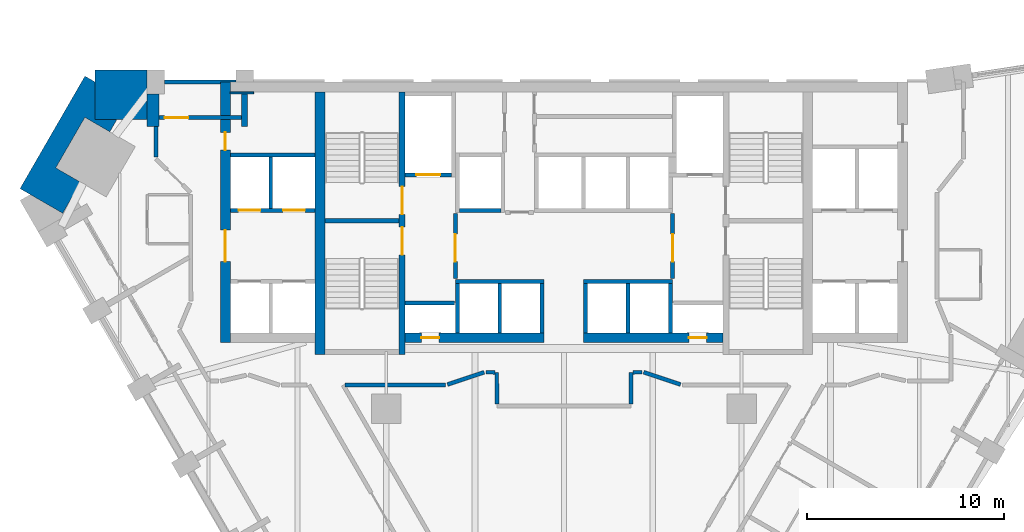
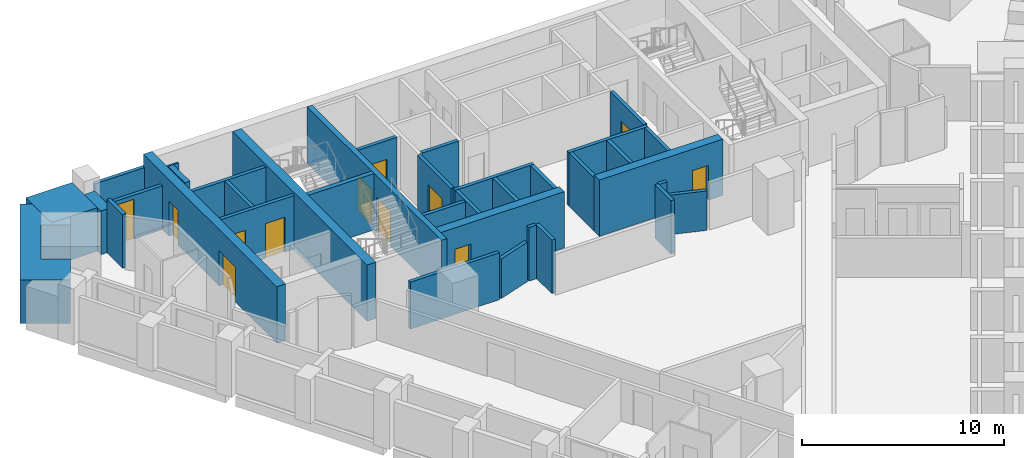
# One storey, part 6 of 10: 37 walls, 12 doors, 12 openings.
"""IFC4 building model written with IfcOpenShell, lengths in metres."""

from ifc_helpers import new_model, si_unit, direction, frame, frame_2d, origin, place, context, subcontext, project, spatial, polyline, rectangle, outline, extrude, material, layer, layer_set, type_object, element, fill, save


model = new_model("IFC4")

# Units and contexts
model_context = context("Model", 3, precision=1e-05, world=origin(), true_north=direction((0.0, 1.0)))
body_context = subcontext(model_context, "Body", "Model", "MODEL_VIEW")
ifc_project = project(units=[si_unit("LENGTHUNIT", "METRE"), si_unit("AREAUNIT", "SQUARE_METRE"), si_unit("VOLUMEUNIT", "CUBIC_METRE"), si_unit("PLANEANGLEUNIT", "RADIAN"), si_unit("MASSUNIT", "GRAM", prefix="KILO")], contexts=[model_context])

# Site, building, storey
site_placement = place(None, origin())
site = spatial("IfcSite", under=ifc_project, at=site_placement, CompositionType="ELEMENT")
building_placement = place(site_placement, origin())
building = spatial("IfcBuilding", under=site, at=building_placement, Name="Calabash Gate Tower", CompositionType="ELEMENT")
storey_placement = place(building_placement, frame((0.0, 0.0, 102.0)))
storey = spatial("IfcBuildingStorey", under=building, at=storey_placement, Name="L22", CompositionType="ELEMENT", Elevation=102.0)

# Walls
ifc_material_1 = material(Name="Terracotta brick masonry, exposed face", Category="masonry")
ifc_layer_1 = layer(ifc_material_1, 2.5)
ifc_layer_set_1 = layer_set([ifc_layer_1], Name="Brick corner mass wall 2500")
wall_type_1 = type_object("IfcWallType", Name="Brick corner mass wall 2500", PredefinedType="SOLIDWALL", material=ifc_layer_set_1)
wall_1_placement = place(storey_placement, origin())
element("IfcWall", 1, at=wall_1_placement, inside=storey, type_object=wall_type_1, Name="Brick corner pier S06 3a", PredefinedType="SOLIDWALL", context=body_context, shape_type="SweptSolid", body=[
    extrude(outline(polyline([(-23.741455078125, 17.152587890625), (-21.119140625, 17.152587890625), (-21.119140625, 19.652587890625), (-23.741455078125, 19.652587890625), (-23.741455078125, 17.152587890625)])), origin(), (0.0, 0.0, 1.0), 2.6298828125),
])
wall_2_placement = place(storey_placement, origin())
element("IfcWall", 2, at=wall_2_placement, inside=storey, type_object=wall_type_1, Name="Brick corner pier S06 3b", PredefinedType="SOLIDWALL", context=body_context, shape_type="SweptSolid", body=[
    extrude(outline(polyline([(-23.003173828125, 16.531005859375), (-22.64453125, 17.152587890625), (-23.741455078125, 17.152587890625), (-23.741455078125, 19.052490234375), (-24.260986328125, 19.3525390625), (-27.55078125, 13.654541015625), (-25.3857421875, 12.404541015625), (-24.478271484375, 13.976318359375), (-25.73876953125, 14.7041015625), (-24.263916015625, 17.2587890625), (-23.003173828125, 16.531005859375)])), origin(), (0.0, 0.0, 1.0), 2.6298828125),
])
ifc_material_2 = material(Name="Terracotta brick masonry, exposed face", Category="masonry")
ifc_layer_2 = layer(ifc_material_2, 1.199951171875)
ifc_layer_set_2 = layer_set([ifc_layer_2], Name="Brick end wall 1200")
wall_type_2 = type_object("IfcWallType", Name="Brick end wall 1200", PredefinedType="SOLIDWALL", material=ifc_layer_set_2)
wall_3_placement = place(storey_placement, origin())
element("IfcWall", 3, at=wall_3_placement, inside=storey, type_object=wall_type_2, Name="Brick pier S06 N6.7b", PredefinedType="SOLIDWALL", context=body_context, shape_type="SweptSolid", body=[
    extrude(outline(polyline([(-16.902099609375, 18.45263671875), (-16.902099609375, 18.552490234375), (-15.718994140625, 18.552490234375), (-15.718994140625, 18.45263671875), (-16.902099609375, 18.45263671875)])), origin(), (0.0, 0.0, 1.0), 2.64990234375),
])
ifc_material_3 = material(Name="Terracotta brick masonry, exposed face", Category="masonry")
ifc_layer_3 = layer(ifc_material_3, 0.300048828125)
ifc_layer_set_3 = layer_set([ifc_layer_3], Name="Brick loggia cheek wall 300")
wall_type_3 = type_object("IfcWallType", Name="Brick loggia cheek wall 300", PredefinedType="SOLIDWALL", material=ifc_layer_set_3)
wall_4_placement = place(storey_placement, origin())
element("IfcWall", 4, at=wall_4_placement, inside=storey, type_object=wall_type_3, Name="Loggia cheek S06 N6.7", PredefinedType="SOLIDWALL", context=body_context, shape_type="SweptSolid", body=[
    extrude(outline(polyline([(-16.01904296875, 16.802490234375), (-16.01904296875, 18.45263671875), (-16.319091796875, 18.45263671875), (-16.319091796875, 16.802490234375), (-16.01904296875, 16.802490234375)])), origin(), (0.0, 0.0, 1.0), 2.64990234375),
])
wall_5_placement = place(storey_placement, origin())
element("IfcWall", 5, at=wall_5_placement, inside=storey, type_object=wall_type_3, Name="Loggia cheek S06 N6.8", PredefinedType="SOLIDWALL", context=body_context, shape_type="SweptSolid", body=[
    extrude(outline(polyline([(-21.119140625, 18.45263671875), (-21.119140625, 16.802490234375), (-20.51904296875, 16.802490234375), (-20.51904296875, 18.45263671875), (-21.119140625, 18.45263671875)])), origin(), (0.0, 0.0, 1.0), 2.6298828125),
])
ifc_material_4 = material(Name="Concrete C80/95", Category="concrete")
ifc_layer_4 = layer(ifc_material_4, 0.25)
ifc_layer_set_4 = layer_set([ifc_layer_4], Name="Core wall 250 Concrete C80/95")
wall_type_4 = type_object("IfcWallType", Name="Core wall 250 Concrete C80/95", PredefinedType="SHEAR", material=ifc_layer_set_4)
wall_6_placement = place(storey_placement, frame((-12.10009765625, 12.027587890625, 0.0), z_axis=(0.0, 0.0, 1.0), x_axis=(1.0, 0.0, 0.0)))
element("IfcWall", 6, at=wall_6_placement, inside=storey, type_object=wall_type_4, Name="Core wall Z2-MIDW L22", PredefinedType="SHEAR", context=body_context, shape_type="SweptSolid", body=[
    extrude(rectangle(XDim=3.75, YDim=0.25, at=frame_2d((1.875, 0.0))), origin(), (0.0, 0.0, 1.0), 3.39990234375),
])

# Wall, openings, doors
ifc_material_5 = material(Name="Concrete C80/95", Category="concrete")
ifc_layer_5 = layer(ifc_material_5, 0.300048828125)
ifc_layer_set_5 = layer_set([ifc_layer_5], Name="Core wall 300 Concrete C80/95")
wall_type_5 = type_object("IfcWallType", Name="Core wall 300 Concrete C80/95", PredefinedType="SHEAR", material=ifc_layer_set_5)
wall_7_placement = place(storey_placement, frame((-8.199951171875, 5.252685546875, 0.0), z_axis=(0.0, 0.0, 1.0), x_axis=(0.0, 1.0, 0.0)))
wall_7 = element("IfcWall", 7, at=wall_7_placement, inside=storey, type_object=wall_type_5, Name="Core wall Z2-PARTW L22", PredefinedType="SHEAR", context=body_context, shape_type="SweptSolid", body=[
    extrude(rectangle(XDim=13.2998046875, YDim=0.300048828125, at=frame_2d((6.64990234375, 0.0))), origin(), (0.0, 0.0, 1.0), 3.39990234375),
])
opening_1_placement = place(wall_7_placement, frame((7.10009765625, 0.0, 0.0)))
opening_1 = element("IfcOpeningElement", 8, at=opening_1_placement, cuts=wall_7, Name="Opening H6-013", PredefinedType="OPENING", context=body_context, shape_type="SweptSolid", body=[
    extrude(rectangle(XDim=1.39990234375, YDim=2.10009765625, at=frame_2d((0.699951171875, 1.050048828125))), frame((0.0, 0.159912109375, 0.0), z_axis=(0.0, -1.0, 0.0), x_axis=(1.0, 0.0, 0.0)), (0.0, 0.0, 1.0), 0.320068359375),
])
opening_2_placement = place(wall_7_placement, frame((5.050048828125, 0.0, 0.0)))
opening_2 = element("IfcOpeningElement", 9, at=opening_2_placement, cuts=wall_7, Name="Opening H6-014", PredefinedType="OPENING", context=body_context, shape_type="SweptSolid", body=[
    extrude(rectangle(XDim=1.39990234375, YDim=2.10009765625, at=frame_2d((0.699951171875, 1.050048828125))), frame((0.0, 0.159912109375, 0.0), z_axis=(0.0, -1.0, 0.0), x_axis=(1.0, 0.0, 0.0)), (0.0, 0.0, 1.0), 0.320068359375),
])
ifc_material_6 = material(Name="Steel fire door set with fire-resisting glazing", Category="steel")
door_type_1 = type_object("IfcDoorType", Name="Fire door D05 1400x2100 FD90", OperationType="NOTDEFINED", PredefinedType="DOOR", material=ifc_material_6)
door_1_placement = place(opening_1_placement, origin())
door_1 = element("IfcDoor", 10, at=door_1_placement, inside=storey, type_object=door_type_1, Name="Exit stair door ST1", OperationType="SINGLE_SWING_LEFT", OverallHeight=2.10009765625, OverallWidth=1.39990234375, PredefinedType="DOOR", context=body_context, shape_type="SweptSolid", body=[
    extrude(rectangle(XDim=1.39990234375, YDim=2.10009765625, at=frame_2d((0.699951171875, 1.050048828125))), frame((0.0, 0.02490234375, 0.0), z_axis=(0.0, -1.0, 0.0), x_axis=(1.0, 0.0, 0.0)), (0.0, 0.0, 1.0), 0.050048828125),
])
fill(opening_1, door_1)
door_2_placement = place(opening_2_placement, origin())
door_2 = element("IfcDoor", 11, at=door_2_placement, inside=storey, type_object=door_type_1, Name="Exit stair door ST2", OperationType="SINGLE_SWING_LEFT", OverallHeight=2.10009765625, OverallWidth=1.39990234375, PredefinedType="DOOR", context=body_context, shape_type="SweptSolid", body=[
    extrude(rectangle(XDim=1.39990234375, YDim=2.10009765625, at=frame_2d((0.699951171875, 1.050048828125))), frame((0.0, 0.02490234375, 0.0), z_axis=(0.0, -1.0, 0.0), x_axis=(1.0, 0.0, 0.0)), (0.0, 0.0, 1.0), 0.050048828125),
])
fill(opening_2, door_2)

# Wall
ifc_material_7 = material(Name="Concrete C80/95", Category="concrete")
ifc_layer_6 = layer(ifc_material_7, 0.5)
ifc_layer_set_6 = layer_set([ifc_layer_6], Name="Core wall 500 Concrete C80/95")
wall_type_6 = type_object("IfcWallType", Name="Core wall 500 Concrete C80/95", PredefinedType="SHEAR", material=ifc_layer_set_6)
wall_8_placement = place(storey_placement, frame((-12.35009765625, 5.252685546875, 0.0), z_axis=(0.0, 0.0, 1.0), x_axis=(0.0, 1.0, 0.0)))
element("IfcWall", 12, at=wall_8_placement, inside=storey, type_object=wall_type_6, Name="Core wall Z2-COLW L22", PredefinedType="SHEAR", context=body_context, shape_type="SweptSolid", body=[
    extrude(rectangle(XDim=13.2998046875, YDim=0.5, at=frame_2d((6.64990234375, 0.0))), origin(), (0.0, 0.0, 1.0), 3.39990234375),
])

# Wall, opening, door
wall_9_placement = place(storey_placement, frame((-8.050048828125, 6.1025390625, 0.0), z_axis=(0.0, 0.0, 1.0), x_axis=(1.0, 0.0, 0.0)))
wall_9 = element("IfcWall", 13, at=wall_9_placement, inside=storey, type_object=wall_type_6, Name="Core wall Z2-SA L22", PredefinedType="SHEAR", context=body_context, shape_type="SweptSolid", body=[
    extrude(rectangle(XDim=7.050048828125, YDim=0.5, at=frame_2d((3.52490234375, 0.0))), origin(), (0.0, 0.0, 1.0), 3.39990234375),
])
opening_3_placement = place(wall_9_placement, frame((0.824951171875, 0.0, 0.0)))
opening_3 = element("IfcOpeningElement", 14, at=opening_3_placement, cuts=wall_9, Name="Opening H6-012", PredefinedType="OPENING", context=body_context, shape_type="SweptSolid", body=[
    extrude(rectangle(XDim=0.89990234375, YDim=2.10009765625, at=frame_2d((0.449951171875, 1.050048828125))), frame((0.0, 0.260009765625, 0.0), z_axis=(0.0, -1.0, 0.0), x_axis=(1.0, 0.0, 0.0)), (0.0, 0.0, 1.0), 0.52001953125),
])
ifc_material_8 = material(Name="Steel fire door set with fire-resisting glazing", Category="steel")
door_type_2 = type_object("IfcDoorType", Name="Fire door D07 900x2100 FD90", OperationType="NOTDEFINED", PredefinedType="DOOR", material=ifc_material_8)
door_3_placement = place(opening_3_placement, origin())
door_3 = element("IfcDoor", 15, at=door_3_placement, inside=storey, type_object=door_type_2, Name="Electrical Riser W door", OperationType="SINGLE_SWING_LEFT", OverallHeight=2.10009765625, OverallWidth=0.89990234375, PredefinedType="DOOR", context=body_context, shape_type="SweptSolid", body=[
    extrude(rectangle(XDim=0.89990234375, YDim=2.10009765625, at=frame_2d((0.449951171875, 1.050048828125))), frame((0.0, 0.02490234375, 0.0), z_axis=(0.0, -1.0, 0.0), x_axis=(1.0, 0.0, 0.0)), (0.0, 0.0, 1.0), 0.050048828125),
])
fill(opening_3, door_3)

wall_10_placement = place(storey_placement, frame((1.0, 6.1025390625, 0.0), z_axis=(0.0, 0.0, 1.0), x_axis=(1.0, 0.0, 0.0)))
wall_10 = element("IfcWall", 16, at=wall_10_placement, inside=storey, type_object=wall_type_6, Name="Core wall Z2-SB L22", PredefinedType="SHEAR", context=body_context, shape_type="SweptSolid", body=[
    extrude(rectangle(XDim=7.050048828125, YDim=0.5, at=frame_2d((3.52490234375, 0.0))), origin(), (0.0, 0.0, 1.0), 3.39990234375),
])
opening_4_placement = place(wall_10_placement, frame((5.324951171875, 0.0, 0.0)))
opening_4 = element("IfcOpeningElement", 17, at=opening_4_placement, cuts=wall_10, Name="Opening H6-011", PredefinedType="OPENING", context=body_context, shape_type="SweptSolid", body=[
    extrude(rectangle(XDim=0.89990234375, YDim=2.10009765625, at=frame_2d((0.449951171875, 1.050048828125))), frame((0.0, 0.260009765625, 0.0), z_axis=(0.0, -1.0, 0.0), x_axis=(1.0, 0.0, 0.0)), (0.0, 0.0, 1.0), 0.52001953125),
])
door_4_placement = place(opening_4_placement, origin())
door_4 = element("IfcDoor", 18, at=door_4_placement, inside=storey, type_object=door_type_2, Name="Mechanical Riser E door", OperationType="SINGLE_SWING_RIGHT", OverallHeight=2.10009765625, OverallWidth=0.89990234375, PredefinedType="DOOR", context=body_context, shape_type="SweptSolid", body=[
    extrude(rectangle(XDim=0.89990234375, YDim=2.10009765625, at=frame_2d((0.449951171875, 1.050048828125))), frame((0.0, 0.02490234375, 0.0), z_axis=(0.0, -1.0, 0.0), x_axis=(1.0, 0.0, 0.0)), (0.0, 0.0, 1.0), 0.050048828125),
])
fill(opening_4, door_4)

# Wall, openings, doors
wall_11_placement = place(storey_placement, frame((-17.14990234375, 5.8525390625, 0.0), z_axis=(0.0, 0.0, 1.0), x_axis=(0.0, 1.0, 0.0)))
wall_11 = element("IfcWall", 19, at=wall_11_placement, inside=storey, type_object=wall_type_6, Name="Core wall Z2-ENDW L22", PredefinedType="SHEAR", context=body_context, shape_type="SweptSolid", body=[
    extrude(rectangle(XDim=13.199951171875, YDim=0.5, at=frame_2d((6.60009765625, 0.0))), origin(), (0.0, 0.0, 1.0), 3.39990234375),
])
opening_5_placement = place(wall_11_placement, frame((4.10009765625, 0.0, 0.0)))
opening_5 = element("IfcOpeningElement", 20, at=opening_5_placement, cuts=wall_11, Name="Opening H6-003", PredefinedType="OPENING", context=body_context, shape_type="SweptSolid", body=[
    extrude(rectangle(XDim=1.60009765625, YDim=2.10009765625, at=frame_2d((0.800048828125, 1.050048828125))), frame((0.0, 0.260009765625, 0.0), z_axis=(0.0, -1.0, 0.0), x_axis=(1.0, 0.0, 0.0)), (0.0, 0.0, 1.0), 0.52001953125),
])
opening_6_placement = place(wall_11_placement, frame((9.75, 0.0, 0.0)))
opening_6 = element("IfcOpeningElement", 21, at=opening_6_placement, cuts=wall_11, Name="Opening H6-004", PredefinedType="OPENING", context=body_context, shape_type="SweptSolid", body=[
    extrude(rectangle(XDim=0.89990234375, YDim=2.10009765625, at=frame_2d((0.449951171875, 1.050048828125))), frame((0.0, 0.260009765625, 0.0), z_axis=(0.0, -1.0, 0.0), x_axis=(1.0, 0.0, 0.0)), (0.0, 0.0, 1.0), 0.52001953125),
])
ifc_material_9 = material(Name="Steel fire door set with fire-resisting glazing", Category="steel")
door_type_3 = type_object("IfcDoorType", Name="Double fire door D08 1600x2100 FD60", OperationType="DOUBLE_DOOR_SINGLE_SWING", PredefinedType="DOOR", material=ifc_material_9)
door_5_placement = place(opening_5_placement, origin())
door_5 = element("IfcDoor", 22, at=door_5_placement, inside=storey, type_object=door_type_3, Name="Low-rise Lift Lobby W door", OperationType="DOUBLE_DOOR_SINGLE_SWING", OverallHeight=2.10009765625, OverallWidth=1.60009765625, PredefinedType="DOOR", context=body_context, shape_type="SweptSolid", body=[
    extrude(rectangle(XDim=1.60009765625, YDim=2.10009765625, at=frame_2d((0.800048828125, 1.050048828125))), frame((0.0, 0.02490234375, 0.0), z_axis=(0.0, -1.0, 0.0), x_axis=(1.0, 0.0, 0.0)), (0.0, 0.0, 1.0), 0.050048828125),
])
fill(opening_5, door_5)
ifc_material_10 = material(Name="Steel fire door set with fire-resisting glazing", Category="steel")
door_type_4 = type_object("IfcDoorType", Name="Fire door D06 900x2100 FD60", OperationType="NOTDEFINED", PredefinedType="DOOR", material=ifc_material_10)
door_6_placement = place(opening_6_placement, origin())
door_6 = element("IfcDoor", 23, at=door_6_placement, inside=storey, type_object=door_type_4, Name="Cleaner's Store door", OperationType="SINGLE_SWING_RIGHT", OverallHeight=2.10009765625, OverallWidth=0.89990234375, PredefinedType="DOOR", context=body_context, shape_type="SweptSolid", body=[
    extrude(rectangle(XDim=0.89990234375, YDim=2.10009765625, at=frame_2d((0.449951171875, 1.050048828125))), frame((0.0, 0.02490234375, 0.0), z_axis=(0.0, -1.0, 0.0), x_axis=(1.0, 0.0, 0.0)), (0.0, 0.0, 1.0), 0.050048828125),
])
fill(opening_6, door_6)

# Walls
ifc_material_11 = material(Name="Gypsum board on steel studs, mineral wool", Category="steel")
ifc_layer_7 = layer(ifc_material_11, 0.199951171875)
ifc_layer_set_7 = layer_set([ifc_layer_7], Name="Partition 200 gypsum board EI 60")
wall_type_7 = type_object("IfcWallType", Name="Partition 200 gypsum board EI 60", PredefinedType="PARTITIONING", material=ifc_layer_set_7)
wall_12_placement = place(storey_placement, frame((-3.402099609375, 4.3505859375, 0.0), z_axis=(0.0, 0.0, 1.0), x_axis=(0.001222119466, -0.999999253212, 0.0)))
element("IfcWall", 24, at=wall_12_placement, inside=storey, type_object=wall_type_7, Name="Partition", PredefinedType="PARTITIONING", context=body_context, shape_type="SweptSolid", body=[
    extrude(rectangle(XDim=1.59814453125, YDim=0.199951171875, at=frame_2d((0.799072265625, 0.0))), origin(), (0.0, 0.0, 1.0), 3.22998046875),
])
wall_13_placement = place(storey_placement, frame((-11.080078125, 3.69970703125, 0.0), z_axis=(0.0, 0.0, 1.0), x_axis=(1.0, 0.0, 0.0)))
element("IfcWall", 25, at=wall_13_placement, inside=storey, type_object=wall_type_7, Name="Partition", PredefinedType="PARTITIONING", context=body_context, shape_type="SweptSolid", body=[
    extrude(rectangle(XDim=5.080078125, YDim=0.199951171875, at=frame_2d((2.5400390625, 0.0))), origin(), (0.0, 0.0, 1.0), 2.83154296875),
])
for number, where, z_axis, x_axis, name in (
    (26, (4.042236328125, 4.352294921875, 0.0), (0.0, 0.0, 1.0), (0.948695731075, -0.316190464499, 0.0), "Partition"),
    (27, (-5.905029296875, 3.7314453125, 0.0), (0.0, 0.0, 1.0), (0.948695731075, 0.316190464499, 0.0), "Partition"),
):
    element("IfcWall", number, at=place(storey_placement, frame(where, z_axis=z_axis, x_axis=x_axis)), inside=storey, type_object=wall_type_7, Name=name, PredefinedType="PARTITIONING", context=body_context, shape_type="SweptSolid", body=[
        extrude(rectangle(XDim=1.963623046875, YDim=0.199951171875, at=frame_2d((0.98193359375, 0.0))), origin(), (0.0, 0.0, 1.0), 2.384033203125),
    ])
wall_14_placement = place(storey_placement, frame((-3.9423828125, 4.35205078125, 0.0), z_axis=(0.0, 0.0, 1.0), x_axis=(0.999996159087, -0.00277160798, 0.0)))
element("IfcWall", 28, at=wall_14_placement, inside=storey, type_object=wall_type_7, Name="Partition", PredefinedType="PARTITIONING", context=body_context, shape_type="SweptSolid", body=[
    extrude(rectangle(XDim=0.4404296875, YDim=0.199951171875, at=frame_2d((0.22021484375, 0.0))), origin(), (0.0, 0.0, 1.0), 3.22998046875),
])
wall_15_placement = place(storey_placement, frame((3.400146484375, 2.75244140625, 0.0), z_axis=(0.0, 0.0, 1.0), x_axis=(0.001222119466, 0.999999253212, 0.0)))
element("IfcWall", 29, at=wall_15_placement, inside=storey, type_object=wall_type_7, Name="Partition", PredefinedType="PARTITIONING", context=body_context, shape_type="SweptSolid", body=[
    extrude(rectangle(XDim=1.59814453125, YDim=0.199951171875, at=frame_2d((0.799072265625, 0.0))), origin(), (0.0, 0.0, 1.0), 3.22998046875),
])
wall_16_placement = place(storey_placement, frame((3.501953125, 4.350830078125, 0.0), z_axis=(0.0, 0.0, 1.0), x_axis=(0.999996159087, 0.00277160798, 0.0)))
element("IfcWall", 30, at=wall_16_placement, inside=storey, type_object=wall_type_7, Name="Partition", PredefinedType="PARTITIONING", context=body_context, shape_type="SweptSolid", body=[
    extrude(rectangle(XDim=0.4404296875, YDim=0.199951171875, at=frame_2d((0.22021484375, 0.0))), origin(), (0.0, 0.0, 1.0), 3.22998046875),
])
wall_17_placement = place(storey_placement, frame((-20.66943359375, 16.802490234375, 0.0), z_axis=(0.0, 0.0, 1.0), x_axis=(0.0, -1.0, 0.0)))
element("IfcWall", 31, at=wall_17_placement, inside=storey, type_object=wall_type_7, Name="Partition", PredefinedType="PARTITIONING", context=body_context, shape_type="SweptSolid", body=[
    extrude(rectangle(XDim=1.55029296875, YDim=0.199951171875, at=frame_2d((0.775146484375, 0.0))), origin(), (0.0, 0.0, 1.0), 3.22998046875),
])
ifc_material_12 = material(Name="Concrete C40/50", Category="concrete")
ifc_layer_8 = layer(ifc_material_12, 0.199951171875)
ifc_layer_set_8 = layer_set([ifc_layer_8], Name="Shaft wall 200 Concrete C40/50")
wall_type_8 = type_object("IfcWallType", Name="Shaft wall 200 Concrete C40/50", PredefinedType="SOLIDWALL", material=ifc_layer_set_8)
for number, where, z_axis, x_axis, name in (
    (32, (-5.39990234375, 6.3525390625, 0.0), (0.0, 0.0, 1.0), (0.0, 1.0, 0.0), "Shaft wall"),
    (33, (-3.25, 6.3525390625, 0.0), (0.0, 0.0, 1.0), (0.0, 1.0, 0.0), "Shaft wall"),
    (34, (-1.10009765625, 6.3525390625, 0.0), (0.0, 0.0, 1.0), (0.0, 1.0, 0.0), "Shaft wall"),
    (35, (1.10009765625, 6.3525390625, 0.0), (0.0, 0.0, 1.0), (0.0, 1.0, 0.0), "Shaft wall"),
    (36, (3.25, 6.3525390625, 0.0), (0.0, 0.0, 1.0), (0.0, 1.0, 0.0), "Shaft wall"),
    (37, (5.39990234375, 6.3525390625, 0.0), (0.0, 0.0, 1.0), (0.0, 1.0, 0.0), "Shaft wall"),
    (38, (-8.050048828125, 7.8525390625, 0.0), (0.0, 0.0, 1.0), (1.0, 0.0, 0.0), "Shaft wall"),
):
    element("IfcWall", number, at=place(storey_placement, frame(where, z_axis=z_axis, x_axis=x_axis)), inside=storey, type_object=wall_type_8, Name=name, PredefinedType="SOLIDWALL", context=body_context, shape_type="SweptSolid", body=[
        extrude(rectangle(XDim=2.5, YDim=0.199951171875, at=frame_2d((1.25, 0.0))), origin(), (0.0, 0.0, 1.0), 3.22998046875),
    ])
for number, where, z_axis, x_axis, name in (
    (39, (-5.5, 8.95263671875, 0.0), (0.0, 0.0, 1.0), (1.0, 0.0, 0.0), "Shaft wall"),
    (40, (1.0, 8.95263671875, 0.0), (0.0, 0.0, 1.0), (1.0, 0.0, 0.0), "Shaft wall"),
):
    element("IfcWall", number, at=place(storey_placement, frame(where, z_axis=z_axis, x_axis=x_axis)), inside=storey, type_object=wall_type_8, Name=name, PredefinedType="SOLIDWALL", context=body_context, shape_type="SweptSolid", body=[
        extrude(rectangle(XDim=4.5, YDim=0.199951171875, at=frame_2d((2.25, 0.0))), origin(), (0.0, 0.0, 1.0), 3.22998046875),
    ])

# Wall, opening, door
wall_18_placement = place(storey_placement, frame((-5.5, 9.1025390625, 0.0), z_axis=(0.0, 0.0, 1.0), x_axis=(0.0, 1.0, 0.0)))
wall_18 = element("IfcWall", 41, at=wall_18_placement, inside=storey, type_object=wall_type_8, Name="Shaft wall", PredefinedType="SOLIDWALL", context=body_context, shape_type="SweptSolid", body=[
    extrude(rectangle(XDim=3.300048828125, YDim=0.199951171875, at=frame_2d((1.64990234375, 0.0))), origin(), (0.0, 0.0, 1.0), 3.22998046875),
])
opening_7_placement = place(wall_18_placement, frame((0.85009765625, 0.0, 0.0)))
opening_7 = element("IfcOpeningElement", 42, at=opening_7_placement, cuts=wall_18, Name="Opening H6-007", PredefinedType="OPENING", context=body_context, shape_type="SweptSolid", body=[
    extrude(rectangle(XDim=1.39990234375, YDim=2.10009765625, at=frame_2d((0.699951171875, 1.050048828125))), frame((0.0, 0.10986328125, 0.0), z_axis=(0.0, -1.0, 0.0), x_axis=(1.0, 0.0, 0.0)), (0.0, 0.0, 1.0), 0.219970703125),
])
door_7_placement = place(opening_7_placement, origin())
door_7 = element("IfcDoor", 43, at=door_7_placement, inside=storey, type_object=door_type_1, Name="Firefighting Lobby W door", OperationType="SINGLE_SWING_RIGHT", OverallHeight=2.10009765625, OverallWidth=1.39990234375, PredefinedType="DOOR", context=body_context, shape_type="SweptSolid", body=[
    extrude(rectangle(XDim=1.39990234375, YDim=2.10009765625, at=frame_2d((0.699951171875, 1.050048828125))), frame((0.0, 0.02490234375, 0.0), z_axis=(0.0, -1.0, 0.0), x_axis=(1.0, 0.0, 0.0)), (0.0, 0.0, 1.0), 0.050048828125),
])
fill(opening_7, door_7)

wall_19_placement = place(storey_placement, frame((5.5, 9.1025390625, 0.0), z_axis=(0.0, 0.0, 1.0), x_axis=(0.0, 1.0, 0.0)))
wall_19 = element("IfcWall", 44, at=wall_19_placement, inside=storey, type_object=wall_type_8, Name="Shaft wall", PredefinedType="SOLIDWALL", context=body_context, shape_type="SweptSolid", body=[
    extrude(rectangle(XDim=3.300048828125, YDim=0.199951171875, at=frame_2d((1.64990234375, 0.0))), origin(), (0.0, 0.0, 1.0), 3.22998046875),
])
opening_8_placement = place(wall_19_placement, frame((0.85009765625, 0.0, 0.0)))
opening_8 = element("IfcOpeningElement", 45, at=opening_8_placement, cuts=wall_19, Name="Opening H6-006", PredefinedType="OPENING", context=body_context, shape_type="SweptSolid", body=[
    extrude(rectangle(XDim=1.39990234375, YDim=2.10009765625, at=frame_2d((0.699951171875, 1.050048828125))), frame((0.0, 0.10986328125, 0.0), z_axis=(0.0, -1.0, 0.0), x_axis=(1.0, 0.0, 0.0)), (0.0, 0.0, 1.0), 0.219970703125),
])
door_8_placement = place(opening_8_placement, origin())
door_8 = element("IfcDoor", 46, at=door_8_placement, inside=storey, type_object=door_type_1, Name="Firefighting Lobby E door", OperationType="SINGLE_SWING_LEFT", OverallHeight=2.10009765625, OverallWidth=1.39990234375, PredefinedType="DOOR", context=body_context, shape_type="SweptSolid", body=[
    extrude(rectangle(XDim=1.39990234375, YDim=2.10009765625, at=frame_2d((0.699951171875, 1.050048828125))), frame((0.0, 0.02490234375, 0.0), z_axis=(0.0, -1.0, 0.0), x_axis=(1.0, 0.0, 0.0)), (0.0, 0.0, 1.0), 0.050048828125),
])
fill(opening_8, door_8)

# Wall, openings, doors
wall_20_placement = place(storey_placement, frame((-16.89990234375, 12.552490234375, 0.0), z_axis=(0.0, 0.0, 1.0), x_axis=(1.0, 0.0, 0.0)))
wall_20 = element("IfcWall", 47, at=wall_20_placement, inside=storey, type_object=wall_type_8, Name="Shaft wall", PredefinedType="SOLIDWALL", context=body_context, shape_type="SweptSolid", body=[
    extrude(rectangle(XDim=4.2998046875, YDim=0.199951171875, at=frame_2d((2.14990234375, 0.0))), origin(), (0.0, 0.0, 1.0), 3.22998046875),
])
opening_9_placement = place(wall_20_placement, frame((2.675048828125, 0.0, 0.0)))
opening_9 = element("IfcOpeningElement", 48, at=opening_9_placement, cuts=wall_20, Name="Opening LD-LR3", PredefinedType="OPENING", context=body_context, shape_type="SweptSolid", body=[
    extrude(rectangle(XDim=1.10009765625, YDim=2.10009765625, at=frame_2d((0.550048828125, 1.050048828125))), frame((0.0, 0.10986328125, 0.0), z_axis=(0.0, -1.0, 0.0), x_axis=(1.0, 0.0, 0.0)), (0.0, 0.0, 1.0), 0.219970703125),
])
opening_10_placement = place(wall_20_placement, frame((0.425048828125, 0.0, 0.0)))
opening_10 = element("IfcOpeningElement", 49, at=opening_10_placement, cuts=wall_20, Name="Opening LD-LR4", PredefinedType="OPENING", context=body_context, shape_type="SweptSolid", body=[
    extrude(rectangle(XDim=1.10009765625, YDim=2.10009765625, at=frame_2d((0.550048828125, 1.050048828125))), frame((0.0, 0.10986328125, 0.0), z_axis=(0.0, -1.0, 0.0), x_axis=(1.0, 0.0, 0.0)), (0.0, 0.0, 1.0), 0.219970703125),
])
ifc_material_13 = material(Name="Stainless steel sliding door leaves", Category="steel")
door_type_5 = type_object("IfcDoorType", Name="Lift landing door LS1 1100x2100 FD90", OperationType="DOUBLE_DOOR_SLIDING", PredefinedType="DOOR", material=ifc_material_13)
door_9_placement = place(opening_9_placement, origin())
door_9 = element("IfcDoor", 50, at=door_9_placement, inside=storey, type_object=door_type_5, Name="Lift landing door LR3", OperationType="DOUBLE_DOOR_SLIDING", OverallHeight=2.10009765625, OverallWidth=1.10009765625, PredefinedType="DOOR", context=body_context, shape_type="SweptSolid", body=[
    extrude(rectangle(XDim=1.10009765625, YDim=2.10009765625, at=frame_2d((0.550048828125, 1.050048828125))), frame((0.0, 0.02490234375, 0.0), z_axis=(0.0, -1.0, 0.0), x_axis=(1.0, 0.0, 0.0)), (0.0, 0.0, 1.0), 0.050048828125),
])
fill(opening_9, door_9)
door_10_placement = place(opening_10_placement, origin())
door_10 = element("IfcDoor", 51, at=door_10_placement, inside=storey, type_object=door_type_5, Name="Lift landing door LR4", OperationType="DOUBLE_DOOR_SLIDING", OverallHeight=2.10009765625, OverallWidth=1.10009765625, PredefinedType="DOOR", context=body_context, shape_type="SweptSolid", body=[
    extrude(rectangle(XDim=1.10009765625, YDim=2.10009765625, at=frame_2d((0.550048828125, 1.050048828125))), frame((0.0, 0.02490234375, 0.0), z_axis=(0.0, -1.0, 0.0), x_axis=(1.0, 0.0, 0.0)), (0.0, 0.0, 1.0), 0.050048828125),
])
fill(opening_10, door_10)

# Walls
wall_21_placement = place(storey_placement, frame((-5.300048828125, 12.552490234375, 0.0), z_axis=(0.0, 0.0, 1.0), x_axis=(1.0, 0.0, 0.0)))
element("IfcWall", 52, at=wall_21_placement, inside=storey, type_object=wall_type_8, Name="Shaft wall", PredefinedType="SOLIDWALL", context=body_context, shape_type="SweptSolid", body=[
    extrude(rectangle(XDim=2.10009765625, YDim=0.199951171875, at=frame_2d((1.050048828125, 0.0))), origin(), (0.0, 0.0, 1.0), 3.22998046875),
])
wall_22_placement = place(storey_placement, frame((-14.85009765625, 12.652587890625, 0.0), z_axis=(0.0, 0.0, 1.0), x_axis=(0.0, 1.0, 0.0)))
element("IfcWall", 53, at=wall_22_placement, inside=storey, type_object=wall_type_8, Name="Shaft wall", PredefinedType="SOLIDWALL", context=body_context, shape_type="SweptSolid", body=[
    extrude(rectangle(XDim=2.60009765625, YDim=0.199951171875, at=frame_2d((1.300048828125, 0.0))), origin(), (0.0, 0.0, 1.0), 3.22998046875),
])

# Wall, opening, door
wall_23_placement = place(storey_placement, frame((-8.050048828125, 14.3525390625, 0.0), z_axis=(0.0, 0.0, 1.0), x_axis=(1.0, 0.0, 0.0)))
wall_23 = element("IfcWall", 54, at=wall_23_placement, inside=storey, type_object=wall_type_8, Name="Shaft wall", PredefinedType="SOLIDWALL", context=body_context, shape_type="SweptSolid", body=[
    extrude(rectangle(XDim=2.35009765625, YDim=0.199951171875, at=frame_2d((1.175048828125, 0.0))), origin(), (0.0, 0.0, 1.0), 3.22998046875),
])
opening_11_placement = place(wall_23_placement, frame((0.574951171875, 0.0, 0.0)))
opening_11 = element("IfcOpeningElement", 55, at=opening_11_placement, cuts=wall_23, Name="Opening LD-FF1", PredefinedType="OPENING", context=body_context, shape_type="SweptSolid", body=[
    extrude(rectangle(XDim=1.199951171875, YDim=2.10009765625, at=frame_2d((0.60009765625, 1.050048828125))), frame((0.0, 0.10986328125, 0.0), z_axis=(0.0, -1.0, 0.0), x_axis=(1.0, 0.0, 0.0)), (0.0, 0.0, 1.0), 0.219970703125),
])
ifc_material_14 = material(Name="Stainless steel sliding door leaves", Category="steel")
door_type_6 = type_object("IfcDoorType", Name="Lift landing door LS3 1200x2100 FD90", OperationType="DOUBLE_DOOR_SLIDING", PredefinedType="DOOR", material=ifc_material_14)
door_11_placement = place(opening_11_placement, origin())
door_11 = element("IfcDoor", 56, at=door_11_placement, inside=storey, type_object=door_type_6, Name="Lift landing door FF1", OperationType="DOUBLE_DOOR_SLIDING", OverallHeight=2.10009765625, OverallWidth=1.199951171875, PredefinedType="DOOR", context=body_context, shape_type="SweptSolid", body=[
    extrude(rectangle(XDim=1.199951171875, YDim=2.10009765625, at=frame_2d((0.60009765625, 1.050048828125))), frame((0.0, 0.02490234375, 0.0), z_axis=(0.0, -1.0, 0.0), x_axis=(1.0, 0.0, 0.0)), (0.0, 0.0, 1.0), 0.050048828125),
])
fill(opening_11, door_11)

# Walls
wall_24_placement = place(storey_placement, frame((-16.89990234375, 15.3525390625, 0.0), z_axis=(0.0, 0.0, 1.0), x_axis=(1.0, 0.0, 0.0)))
element("IfcWall", 57, at=wall_24_placement, inside=storey, type_object=wall_type_8, Name="Shaft wall", PredefinedType="SOLIDWALL", context=body_context, shape_type="SweptSolid", body=[
    extrude(rectangle(XDim=4.2998046875, YDim=0.199951171875, at=frame_2d((2.14990234375, 0.0))), origin(), (0.0, 0.0, 1.0), 3.22998046875),
])
ifc_material_15 = material(Name="Terracotta brick masonry, perforated", Category="masonry")
ifc_layer_9 = layer(ifc_material_15, 0.199951171875)
ifc_layer_set_9 = layer_set([ifc_layer_9], Name="Terracotta jaali screen B")
wall_type_9 = type_object("IfcWallType", Name="Terracotta jaali screen B", PredefinedType="SOLIDWALL", material=ifc_layer_set_9)
wall_25_placement = place(storey_placement, origin())
element("IfcWall", 58, at=wall_25_placement, inside=storey, type_object=wall_type_9, Name="SCREEN B S06 N6.8", PredefinedType="SOLIDWALL", context=body_context, shape_type="SweptSolid", body=[
    extrude(outline(polyline([(-16.619140625, 19.052490234375), (-16.619140625, 19.152587890625), (-20.218994140625, 19.152587890625), (-20.218994140625, 18.95263671875), (-17.39990234375, 18.95263671875), (-17.39990234375, 19.052490234375), (-16.619140625, 19.052490234375)])), origin(), (0.0, 0.0, 1.0), 2.64990234375),
])

# Wall, opening, door
ifc_material_16 = material(Name="Aluminium framed window wall with insulated spandrel", Category="aluminium")
ifc_layer_10 = layer(ifc_material_16, 0.199951171875)
ifc_layer_set_10 = layer_set([ifc_layer_10], Name="Window wall 200")
wall_type_10 = type_object("IfcWallType", Name="Window wall 200", PredefinedType="ELEMENTEDWALL", material=ifc_layer_set_10)
wall_26_placement = place(storey_placement, frame((-16.319091796875, 17.25244140625, 0.0), z_axis=(0.0, 0.0, 1.0), x_axis=(-1.0, 0.0, 0.0)))
wall_26 = element("IfcWall", 59, at=wall_26_placement, inside=storey, type_object=wall_type_10, Name="Window wall S06 N6.8", PredefinedType="ELEMENTEDWALL", context=body_context, shape_type="SweptSolid", body=[
    extrude(rectangle(XDim=4.199951171875, YDim=0.199951171875, at=frame_2d((2.10009765625, 0.0))), origin(), (0.0, 0.0, 1.0), 2.64990234375),
])
opening_12_placement = place(wall_26_placement, frame((2.699951171875, 0.0, 0.0)))
opening_12 = element("IfcOpeningElement", 60, at=opening_12_placement, cuts=wall_26, Name="Opening H6-017", PredefinedType="OPENING", context=body_context, shape_type="SweptSolid", body=[
    extrude(rectangle(XDim=1.199951171875, YDim=2.39990234375, at=frame_2d((0.60009765625, 1.199951171875))), frame((0.0, 0.10986328125, 0.0), z_axis=(0.0, -1.0, 0.0), x_axis=(1.0, 0.0, 0.0)), (0.0, 0.0, 1.0), 0.219970703125),
])
ifc_material_17 = material(Name="Anodised aluminium frame, bronze finish, impact-rated laminated clear glazing", Category="aluminium")
door_type_7 = type_object("IfcDoorType", Name="Loggia door DH1 1200x2400", OperationType="SLIDING_TO_LEFT", PredefinedType="DOOR", material=ifc_material_17)
door_12_placement = place(opening_12_placement, origin())
door_12 = element("IfcDoor", 61, at=door_12_placement, inside=storey, type_object=door_type_7, Name="Loggia door S06 N6.8", OperationType="SINGLE_SWING_LEFT", OverallHeight=2.39990234375, OverallWidth=1.199951171875, PredefinedType="DOOR", context=body_context, shape_type="SweptSolid", body=[
    extrude(rectangle(XDim=1.199951171875, YDim=2.39990234375, at=frame_2d((0.60009765625, 1.199951171875))), frame((0.0, 0.02490234375, 0.0), z_axis=(0.0, -1.0, 0.0), x_axis=(1.0, 0.0, 0.0)), (0.0, 0.0, 1.0), 0.050048828125),
])
fill(opening_12, door_12)

save(model, "model.ifc")
